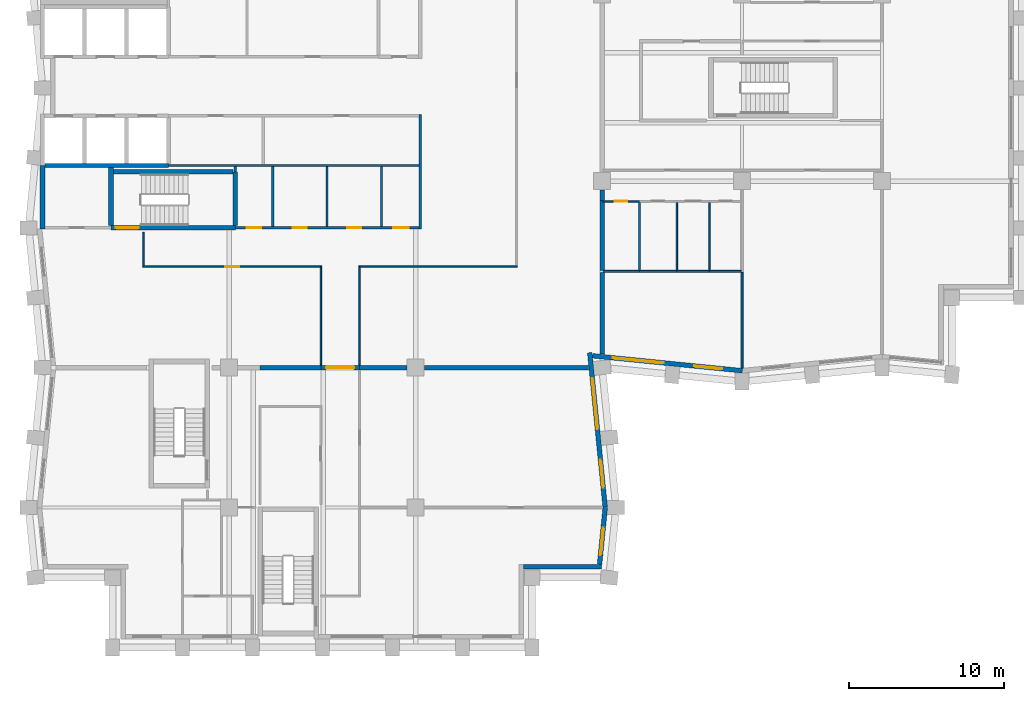
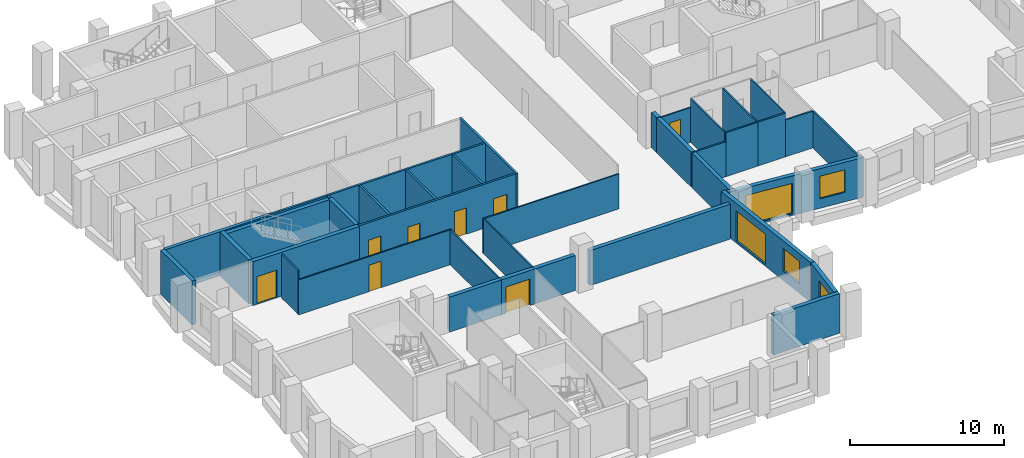
# One storey, part 4 of 10: 38 walls, 8 doors, 5 windows, 13 openings.
"""IFC4 building model written with IfcOpenShell, lengths in metres."""

from ifc_helpers import new_model, si_unit, direction, frame, frame_2d, origin, place, context, subcontext, project, spatial, rectangle, extrude, material, layer, layer_set, type_object, element, fill, save


model = new_model("IFC4")

# Units and contexts
model_context = context("Model", 3, precision=1e-05, world=origin(), true_north=direction((0.0, 1.0)))
body_context = subcontext(model_context, "Body", "Model", "MODEL_VIEW")
ifc_project = project(units=[si_unit("LENGTHUNIT", "METRE"), si_unit("AREAUNIT", "SQUARE_METRE"), si_unit("VOLUMEUNIT", "CUBIC_METRE"), si_unit("PLANEANGLEUNIT", "RADIAN"), si_unit("MASSUNIT", "GRAM", prefix="KILO")], contexts=[model_context])

# Site, building, storey
site_placement = place(None, origin())
site = spatial("IfcSite", under=ifc_project, at=site_placement, CompositionType="ELEMENT")
building_placement = place(site_placement, origin())
building = spatial("IfcBuilding", under=site, at=building_placement, Name="Brondeck Convention Tower", CompositionType="ELEMENT")
storey_placement = place(building_placement, frame((0.0, 0.0, 151.0)))
storey = spatial("IfcBuildingStorey", under=building, at=storey_placement, Name="L36", CompositionType="ELEMENT", Elevation=151.0)

# Wall
ifc_material_1 = material(Name="Concrete compartment wall C30/37", Category="concrete")
ifc_layer_1 = layer(ifc_material_1, 0.300048828125)
ifc_layer_set_1 = layer_set([ifc_layer_1], Name="Compartment wall 300")
wall_type_1 = type_object("IfcWallType", Name="Compartment wall 300", PredefinedType="PARTITIONING", material=ifc_layer_set_1)
wall_1_placement = place(storey_placement, frame((14.0, 27.0, 0.0), z_axis=(0.0, 0.0, 1.0), x_axis=(1.0, 0.0, 0.0)))
element("IfcWall", 1, at=wall_1_placement, inside=storey, type_object=wall_type_1, Name="FLR-L36-W023", PredefinedType="PARTITIONING", context=body_context, shape_type="SweptSolid", body=[
    extrude(rectangle(XDim=3.89990234375, YDim=0.300048828125, at=frame_2d((1.949951171875, 0.0))), origin(), (0.0, 0.0, 1.0), 2.780029296875),
])

# Wall, opening, door
wall_2_placement = place(storey_placement, frame((20.39990234375, 27.0, 0.0), z_axis=(0.0, 0.0, 1.0), x_axis=(-1.0, 0.0, 0.0)))
wall_2 = element("IfcWall", 2, at=wall_2_placement, inside=storey, type_object=wall_type_1, Name="FLR-L36-W024", PredefinedType="PARTITIONING", context=body_context, shape_type="SweptSolid", body=[
    extrude(rectangle(XDim=2.5, YDim=0.300048828125, at=frame_2d((1.25, 0.0))), origin(), (0.0, 0.0, 1.0), 2.780029296875),
])
opening_1_placement = place(wall_2_placement, frame((0.35009765625, 0.0, 0.0)))
opening_1 = element("IfcOpeningElement", 3, at=opening_1_placement, cuts=wall_2, Name="Opening OF-F2-018", PredefinedType="OPENING", context=body_context, shape_type="SweptSolid", body=[
    extrude(rectangle(XDim=1.800048828125, YDim=2.10009765625, at=frame_2d((0.89990234375, 1.050048828125))), frame((0.0, 0.159912109375, 0.0), z_axis=(0.0, -1.0, 0.0), x_axis=(1.0, 0.0, 0.0)), (0.0, 0.0, 1.0), 0.320068359375),
])
ifc_material_2 = material(Name="Steel fire door pair", Category="steel")
door_type_1 = type_object("IfcDoorType", Name="Fire door pair 1800", OperationType="DOUBLE_DOOR_SINGLE_SWING", PredefinedType="DOOR", material=ifc_material_2)
door_1_placement = place(opening_1_placement, origin())
door_1 = element("IfcDoor", 4, at=door_1_placement, inside=storey, type_object=door_type_1, Name="Door OF-F2-018", OperationType="DOUBLE_DOOR_SINGLE_SWING", OverallHeight=2.10009765625, OverallWidth=1.800048828125, PredefinedType="DOOR", context=body_context, shape_type="SweptSolid", body=[
    extrude(rectangle(XDim=1.800048828125, YDim=2.10009765625, at=frame_2d((0.89990234375, 1.050048828125))), frame((0.0, 0.02490234375, 0.0), z_axis=(0.0, -1.0, 0.0), x_axis=(1.0, 0.0, 0.0)), (0.0, 0.0, 1.0), 0.050048828125),
])
fill(opening_1, door_1)

# Walls
wall_3_placement = place(storey_placement, frame((20.39990234375, 27.0, 0.0), z_axis=(0.0, 0.0, 1.0), x_axis=(1.0, 0.0, 0.0)))
element("IfcWall", 5, at=wall_3_placement, inside=storey, type_object=wall_type_1, Name="FLR-L36-W025", PredefinedType="PARTITIONING", context=body_context, shape_type="SweptSolid", body=[
    extrude(rectangle(XDim=3.045166015625, YDim=0.300048828125, at=frame_2d((1.5224609375, 0.0))), origin(), (0.0, 0.0, 1.0), 2.780029296875),
])
wall_4_placement = place(storey_placement, frame((24.554931640625, 27.0, 0.0), z_axis=(0.0, 0.0, 1.0), x_axis=(1.0, 0.0, 0.0)))
element("IfcWall", 6, at=wall_4_placement, inside=storey, type_object=wall_type_1, Name="FLR-L36-W026", PredefinedType="PARTITIONING", context=body_context, shape_type="SweptSolid", body=[
    extrude(rectangle(XDim=10.57080078125, YDim=0.300048828125, at=frame_2d((5.285400390625, 0.0))), origin(), (0.0, 0.0, 1.0), 2.780029296875),
])
wall_5_placement = place(storey_placement, frame((36.0, 27.874267578125, 0.0), z_axis=(0.0, 0.0, 1.0), x_axis=(0.0, 1.0, 0.0)))
element("IfcWall", 7, at=wall_5_placement, inside=storey, type_object=wall_type_1, Name="FLR-L36-W029", PredefinedType="PARTITIONING", context=body_context, shape_type="SweptSolid", body=[
    extrude(rectangle(XDim=5.26318359375, YDim=0.300048828125, at=frame_2d((2.631591796875, 0.0))), origin(), (0.0, 0.0, 1.0), 2.780029296875),
])
wall_6_placement = place(storey_placement, frame((36.0, 33.262451171875, 0.0), z_axis=(0.0, 0.0, 1.0), x_axis=(0.0, 1.0, 0.0)))
element("IfcWall", 8, at=wall_6_placement, inside=storey, type_object=wall_type_1, Name="FLR-L36-W035", PredefinedType="PARTITIONING", context=body_context, shape_type="SweptSolid", body=[
    extrude(rectangle(XDim=4.482666015625, YDim=0.300048828125, at=frame_2d((2.2412109375, 0.0))), origin(), (0.0, 0.0, 1.0), 2.780029296875),
])
wall_7_placement = place(storey_placement, frame((36.0, 37.75, 0.0), z_axis=(0.0, 0.0, 1.0), x_axis=(0.0, 1.0, 0.0)))
element("IfcWall", 9, at=wall_7_placement, inside=storey, type_object=wall_type_1, Name="FLR-L36-W048", PredefinedType="PARTITIONING", context=body_context, shape_type="SweptSolid", body=[
    extrude(rectangle(XDim=0.695068359375, YDim=0.300048828125, at=frame_2d((0.34765625, 0.0))), origin(), (0.0, 0.0, 1.0), 2.780029296875),
])

# Wall, openings, doors
ifc_material_3 = material(Name="Concrete C70/85", Category="concrete")
ifc_layer_2 = layer(ifc_material_3, 0.14990234375)
ifc_layer_set_2 = layer_set([ifc_layer_2], Name="Core beam-seat wall 150 Concrete C70/85")
wall_type_2 = type_object("IfcWallType", Name="Core beam-seat wall 150 Concrete C70/85", PredefinedType="SHEAR", material=ifc_layer_set_2)
wall_8_placement = place(storey_placement, frame((12.39990234375, 36.0, 0.0), z_axis=(0.0, 0.0, 1.0), x_axis=(1.0, 0.0, 0.0)))
wall_8 = element("IfcWall", 10, at=wall_8_placement, inside=storey, type_object=wall_type_2, Name="L36 core wall", PredefinedType="SHEAR", context=body_context, shape_type="SweptSolid", body=[
    extrude(rectangle(XDim=11.8251953125, YDim=0.14990234375, at=frame_2d((5.91259765625, 0.0))), origin(), (0.0, 0.0, 1.0), 3.5),
])
opening_2_placement = place(wall_8_placement, frame((0.72509765625, 0.0, 0.0)))
opening_2 = element("IfcOpeningElement", 11, at=opening_2_placement, cuts=wall_8, Name="Opening C21-03", PredefinedType="OPENING", context=body_context, shape_type="SweptSolid", body=[
    extrude(rectangle(XDim=0.949951171875, YDim=2.10009765625, at=frame_2d((0.47509765625, 1.050048828125))), frame((0.0, 0.0849609375, 0.0), z_axis=(0.0, -1.0, 0.0), x_axis=(1.0, 0.0, 0.0)), (0.0, 0.0, 1.0), 0.169921875),
])
opening_3_placement = place(wall_8_placement, frame((3.699951171875, 0.0, 0.0)))
opening_3 = element("IfcOpeningElement", 12, at=opening_3_placement, cuts=wall_8, Name="Opening C21-04", PredefinedType="OPENING", context=body_context, shape_type="SweptSolid", body=[
    extrude(rectangle(XDim=0.89990234375, YDim=2.10009765625, at=frame_2d((0.449951171875, 1.050048828125))), frame((0.0, 0.0849609375, 0.0), z_axis=(0.0, -1.0, 0.0), x_axis=(1.0, 0.0, 0.0)), (0.0, 0.0, 1.0), 0.169921875),
])
opening_4_placement = place(wall_8_placement, frame((7.199951171875, 0.0, 0.0)))
opening_4 = element("IfcOpeningElement", 13, at=opening_4_placement, cuts=wall_8, Name="Opening C21-05", PredefinedType="OPENING", context=body_context, shape_type="SweptSolid", body=[
    extrude(rectangle(XDim=0.89990234375, YDim=2.10009765625, at=frame_2d((0.449951171875, 1.050048828125))), frame((0.0, 0.0849609375, 0.0), z_axis=(0.0, -1.0, 0.0), x_axis=(1.0, 0.0, 0.0)), (0.0, 0.0, 1.0), 0.169921875),
])
opening_5_placement = place(wall_8_placement, frame((10.14990234375, 0.0, 0.0)))
opening_5 = element("IfcOpeningElement", 14, at=opening_5_placement, cuts=wall_8, Name="Opening C21-06", PredefinedType="OPENING", context=body_context, shape_type="SweptSolid", body=[
    extrude(rectangle(XDim=1.0, YDim=2.10009765625, at=frame_2d((0.5, 1.050048828125))), frame((0.0, 0.0849609375, 0.0), z_axis=(0.0, -1.0, 0.0), x_axis=(1.0, 0.0, 0.0)), (0.0, 0.0, 1.0), 0.169921875),
])
ifc_material_4 = material(Name="Steel fire door", Category="steel")
door_type_2 = type_object("IfcDoorType", Name="Room door 1000x2100 EI 60", OperationType="NOTDEFINED", PredefinedType="DOOR", material=ifc_material_4)
door_2_placement = place(opening_5_placement, origin())
door_2 = element("IfcDoor", 15, at=door_2_placement, inside=storey, type_object=door_type_2, Name="L36 Room door FR-4", OperationType="SINGLE_SWING_LEFT", OverallHeight=2.10009765625, OverallWidth=1.0, PredefinedType="DOOR", context=body_context, shape_type="SweptSolid", body=[
    extrude(rectangle(XDim=1.0, YDim=2.10009765625, at=frame_2d((0.5, 1.050048828125))), frame((0.0, 0.02490234375, 0.0), z_axis=(0.0, -1.0, 0.0), x_axis=(1.0, 0.0, 0.0)), (0.0, 0.0, 1.0), 0.050048828125),
])
fill(opening_5, door_2)
door_type_3 = type_object("IfcDoorType", Name="Room door 900x2100 EI 60", OperationType="NOTDEFINED", PredefinedType="DOOR", material=ifc_material_4)
door_3_placement = place(opening_3_placement, origin())
door_3 = element("IfcDoor", 16, at=door_3_placement, inside=storey, type_object=door_type_3, Name="L36 Room door FR-2", OperationType="SINGLE_SWING_LEFT", OverallHeight=2.10009765625, OverallWidth=0.89990234375, PredefinedType="DOOR", context=body_context, shape_type="SweptSolid", body=[
    extrude(rectangle(XDim=0.89990234375, YDim=2.10009765625, at=frame_2d((0.449951171875, 1.050048828125))), frame((0.0, 0.02490234375, 0.0), z_axis=(0.0, -1.0, 0.0), x_axis=(1.0, 0.0, 0.0)), (0.0, 0.0, 1.0), 0.050048828125),
])
fill(opening_3, door_3)
door_4_placement = place(opening_4_placement, origin())
door_4 = element("IfcDoor", 17, at=door_4_placement, inside=storey, type_object=door_type_3, Name="L36 Room door FR-3", OperationType="SINGLE_SWING_RIGHT", OverallHeight=2.10009765625, OverallWidth=0.89990234375, PredefinedType="DOOR", context=body_context, shape_type="SweptSolid", body=[
    extrude(rectangle(XDim=0.89990234375, YDim=2.10009765625, at=frame_2d((0.449951171875, 1.050048828125))), frame((0.0, 0.02490234375, 0.0), z_axis=(0.0, -1.0, 0.0), x_axis=(1.0, 0.0, 0.0)), (0.0, 0.0, 1.0), 0.050048828125),
])
fill(opening_4, door_4)
door_type_4 = type_object("IfcDoorType", Name="Room door 950x2100 EI 60", OperationType="NOTDEFINED", PredefinedType="DOOR", material=ifc_material_4)
door_5_placement = place(opening_2_placement, origin())
door_5 = element("IfcDoor", 18, at=door_5_placement, inside=storey, type_object=door_type_4, Name="L36 Room door FR-1", OperationType="SINGLE_SWING_RIGHT", OverallHeight=2.10009765625, OverallWidth=0.949951171875, PredefinedType="DOOR", context=body_context, shape_type="SweptSolid", body=[
    extrude(rectangle(XDim=0.949951171875, YDim=2.10009765625, at=frame_2d((0.47509765625, 1.050048828125))), frame((0.0, 0.02490234375, 0.0), z_axis=(0.0, -1.0, 0.0), x_axis=(1.0, 0.0, 0.0)), (0.0, 0.0, 1.0), 0.050048828125),
])
fill(opening_2, door_5)

# Walls
ifc_layer_3 = layer(ifc_material_3, 0.300048828125)
ifc_layer_set_3 = layer_set([ifc_layer_3], Name="Core outer wall 300 Concrete C70/85")
wall_type_3 = type_object("IfcWallType", Name="Core outer wall 300 Concrete C70/85", PredefinedType="SHEAR", material=ifc_layer_set_3)
wall_9_placement = place(storey_placement, frame((0.0, 35.925048828125, 0.0), z_axis=(0.0, 0.0, 1.0), x_axis=(0.0, 1.0, 0.0)))
element("IfcWall", 19, at=wall_9_placement, inside=storey, type_object=wall_type_3, Name="L36 core wall", PredefinedType="SHEAR", context=body_context, shape_type="SweptSolid", body=[
    extrude(rectangle(XDim=4.074951171875, YDim=0.300048828125, at=frame_2d((2.03759765625, 0.0))), origin(), (0.0, 0.0, 1.0), 3.5),
])
ifc_material_5 = material(Name="Fire-rated gypsum board partition")
ifc_layer_4 = layer(ifc_material_5, 0.14990234375)
ifc_layer_set_4 = layer_set([ifc_layer_4], Name="Core partition 150 EI 60")
wall_type_4 = type_object("IfcWallType", Name="Core partition 150 EI 60", PredefinedType="PARTITIONING", material=ifc_layer_set_4)
wall_10_placement = place(storey_placement, frame((8.10009765625, 40.0, 0.0), z_axis=(0.0, 0.0, 1.0), x_axis=(1.0, 0.0, 0.0)))
element("IfcWall", 20, at=wall_10_placement, inside=storey, type_object=wall_type_4, Name="L36 core wall", PredefinedType="PARTITIONING", context=body_context, shape_type="SweptSolid", body=[
    extrude(rectangle(XDim=16.125, YDim=0.14990234375, at=frame_2d((8.0625, 0.0))), origin(), (0.0, 0.0, 1.0), 3.5),
])
wall_11_placement = place(storey_placement, frame((12.39990234375, 39.60009765625, 0.0), z_axis=(0.0, 0.0, 1.0), x_axis=(0.0, 1.0, 0.0)))
element("IfcWall", 21, at=wall_11_placement, inside=storey, type_object=wall_type_4, Name="L36 core wall", PredefinedType="PARTITIONING", context=body_context, shape_type="SweptSolid", body=[
    extrude(rectangle(XDim=0.324951171875, YDim=0.14990234375, at=frame_2d((0.16259765625, 0.0))), origin(), (0.0, 0.0, 1.0), 3.5),
])
for number, where, z_axis, x_axis, name in (
    (22, (14.800048828125, 36.074951171875, 0.0), (0.0, 0.0, 1.0), (0.0, 1.0, 0.0), "L36 core wall"),
    (23, (18.300048828125, 36.074951171875, 0.0), (0.0, 0.0, 1.0), (0.0, 1.0, 0.0), "L36 core wall"),
    (24, (21.800048828125, 36.074951171875, 0.0), (0.0, 0.0, 1.0), (0.0, 1.0, 0.0), "L36 core wall"),
):
    element("IfcWall", number, at=place(storey_placement, frame(where, z_axis=z_axis, x_axis=x_axis)), inside=storey, type_object=wall_type_4, Name=name, PredefinedType="PARTITIONING", context=body_context, shape_type="SweptSolid", body=[
        extrude(rectangle(XDim=3.85009765625, YDim=0.14990234375, at=frame_2d((1.925048828125, 0.0))), origin(), (0.0, 0.0, 1.0), 3.5),
    ])
wall_12_placement = place(storey_placement, frame((24.300048828125, 35.925048828125, 0.0), z_axis=(0.0, 0.0, 1.0), x_axis=(0.0, 1.0, 0.0)))
element("IfcWall", 25, at=wall_12_placement, inside=storey, type_object=wall_type_4, Name="L36 core wall", PredefinedType="PARTITIONING", context=body_context, shape_type="SweptSolid", body=[
    extrude(rectangle(XDim=7.349853515625, YDim=0.14990234375, at=frame_2d((3.6748046875, 0.0))), origin(), (0.0, 0.0, 1.0), 3.5),
])
ifc_material_6 = material(Name="Precast concrete C50/60 bronze finish", Category="concrete")
ifc_layer_5 = layer(ifc_material_6, 0.070068359375, Name="Bronze precast facing")
ifc_material_7 = material(Name="Mineral wool")
ifc_layer_6 = layer(ifc_material_7, 0.159912109375, Name="Insulation")
ifc_material_8 = material(Name="Concrete C35/45", Category="concrete")
ifc_layer_7 = layer(ifc_material_8, 0.070068359375, Name="Backing")
ifc_layer_set_5 = layer_set([ifc_layer_5, ifc_layer_6, ifc_layer_7], Name="External infill wall, precast concrete C50/60 bronze facing")
wall_type_5 = type_object("IfcWallType", Name="External infill wall, precast concrete C50/60 bronze facing", PredefinedType="SOLIDWALL", material=ifc_layer_set_5)
wall_13_placement = place(storey_placement, frame((35.952392578125, 14.199951171875, 0.0), z_axis=(0.0, 0.0, 1.0), x_axis=(-1.0, 0.0, 0.0)))
element("IfcWall", 26, at=wall_13_placement, inside=storey, type_object=wall_type_5, Name="ENV-EW-L36-P1-NC-SEB9-02", PredefinedType="SOLIDWALL", context=body_context, shape_type="SweptSolid", body=[
    extrude(rectangle(XDim=5.00244140625, YDim=0.300048828125, at=frame_2d((2.501220703125, 0.0))), origin(), (0.0, 0.0, 1.0), 3.14990234375),
])

# Wall, opening, window
wall_14_placement = place(storey_placement, frame((36.197998046875, 18.014892578125, 0.0), z_axis=(0.0, 0.0, 1.0), x_axis=(-0.099529980022, -0.99503456376, 0.0)))
wall_14 = element("IfcWall", 27, at=wall_14_placement, inside=storey, type_object=wall_type_5, Name="ENV-EW-L36-P1-B-E-02", PredefinedType="SOLIDWALL", context=body_context, shape_type="SweptSolid", body=[
    extrude(rectangle(XDim=3.681884765625, YDim=0.300048828125, at=frame_2d((1.8408203125, 0.0))), origin(), (0.0, 0.0, 1.0), 3.14990234375),
])
opening_6_placement = place(wall_14_placement, frame((1.30615234375, 0.0, 0.75)))
opening_6 = element("IfcOpeningElement", 28, at=opening_6_placement, cuts=wall_14, Name="Opening W10", PredefinedType="OPENING", context=body_context, shape_type="SweptSolid", body=[
    extrude(rectangle(XDim=1.800048828125, YDim=1.800048828125, at=frame_2d((0.89990234375, 0.89990234375))), frame((0.0, 0.159912109375, 0.0), z_axis=(0.0, -1.0, 0.0), x_axis=(1.0, 0.0, 0.0)), (0.0, 0.0, 1.0), 0.320068359375),
])
ifc_material_9 = material(Name="Bronze tinted double glazing", Category="glass")
window_type_1 = type_object("IfcWindowType", Name="Punched window, bronze tinted", PartitioningType="SINGLE_PANEL", PredefinedType="WINDOW", material=ifc_material_9)
window_1_placement = place(opening_6_placement, origin())
window_1 = element("IfcWindow", 29, at=window_1_placement, inside=storey, type_object=window_type_1, Name="ENV-WN-L36-P1-B-E-02", OverallHeight=1.800048828125, OverallWidth=1.800048828125, PartitioningType="SINGLE_PANEL", PredefinedType="WINDOW", context=body_context, shape_type="SweptSolid", body=[
    extrude(rectangle(XDim=1.800048828125, YDim=1.800048828125, at=frame_2d((0.89990234375, 0.89990234375))), frame((0.0, 0.030029296875, 0.0), z_axis=(0.0, -1.0, 0.0), x_axis=(1.0, 0.0, 0.0)), (0.0, 0.0, 1.0), 0.06005859375),
])
fill(opening_6, window_1)

# Wall, openings, windows
wall_15_placement = place(storey_placement, frame((35.2001953125, 27.964111328125, 0.0), z_axis=(0.0, 0.0, 1.0), x_axis=(0.099501297882, -0.995037432321, 0.0)))
wall_15 = element("IfcWall", 30, at=wall_15_placement, inside=storey, type_object=wall_type_5, Name="ENV-EW-L36-P1-B-E-01", PredefinedType="SOLIDWALL", context=body_context, shape_type="SweptSolid", body=[
    extrude(rectangle(XDim=9.98388671875, YDim=0.300048828125, at=frame_2d((4.991943359375, 0.0))), origin(), (0.0, 0.0, 1.0), 3.14990234375),
])
opening_7_placement = place(wall_15_placement, frame((1.650146484375, 0.0, 0.14990234375)))
opening_7 = element("IfcOpeningElement", 31, at=opening_7_placement, cuts=wall_15, Name="Opening W9", PredefinedType="OPENING", context=body_context, shape_type="SweptSolid", body=[
    extrude(rectangle(XDim=3.300048828125, YDim=2.39990234375, at=frame_2d((1.64990234375, 1.199951171875))), frame((0.0, 0.159912109375, 0.0), z_axis=(0.0, -1.0, 0.0), x_axis=(1.0, 0.0, 0.0)), (0.0, 0.0, 1.0), 0.320068359375),
])
opening_8_placement = place(wall_15_placement, frame((6.922607421875, 0.0, 0.75)))
opening_8 = element("IfcOpeningElement", 32, at=opening_8_placement, cuts=wall_15, Name="Opening W10", PredefinedType="OPENING", context=body_context, shape_type="SweptSolid", body=[
    extrude(rectangle(XDim=1.800048828125, YDim=1.800048828125, at=frame_2d((0.89990234375, 0.89990234375))), frame((0.0, 0.159912109375, 0.0), z_axis=(0.0, -1.0, 0.0), x_axis=(1.0, 0.0, 0.0)), (0.0, 0.0, 1.0), 0.320068359375),
])
window_type_2 = type_object("IfcWindowType", Name="Glazed flute window, bronze tinted", PartitioningType="SINGLE_PANEL", PredefinedType="WINDOW", material=ifc_material_9)
window_2_placement = place(opening_7_placement, origin())
window_2 = element("IfcWindow", 33, at=window_2_placement, inside=storey, type_object=window_type_2, Name="ENV-WN-L36-P1-B-E-00", OverallHeight=2.39990234375, OverallWidth=3.300048828125, PartitioningType="SINGLE_PANEL", PredefinedType="WINDOW", context=body_context, shape_type="SweptSolid", body=[
    extrude(rectangle(XDim=3.300048828125, YDim=2.39990234375, at=frame_2d((1.64990234375, 1.199951171875))), frame((0.0, 0.030029296875, 0.0), z_axis=(0.0, -1.0, 0.0), x_axis=(1.0, 0.0, 0.0)), (0.0, 0.0, 1.0), 0.06005859375),
])
fill(opening_7, window_2)
window_3_placement = place(opening_8_placement, origin())
window_3 = element("IfcWindow", 34, at=window_3_placement, inside=storey, type_object=window_type_1, Name="ENV-WN-L36-P1-B-E-01", OverallHeight=1.800048828125, OverallWidth=1.800048828125, PartitioningType="SINGLE_PANEL", PredefinedType="WINDOW", context=body_context, shape_type="SweptSolid", body=[
    extrude(rectangle(XDim=1.800048828125, YDim=1.800048828125, at=frame_2d((0.89990234375, 0.89990234375))), frame((0.0, 0.030029296875, 0.0), z_axis=(0.0, -1.0, 0.0), x_axis=(1.0, 0.0, 0.0)), (0.0, 0.0, 1.0), 0.06005859375),
])
fill(opening_8, window_3)

wall_16_placement = place(storey_placement, frame((45.014892578125, 26.802001953125, 0.0), z_axis=(0.0, 0.0, 1.0), x_axis=(-0.995037689759, 0.099498723402, 0.0)))
wall_16 = element("IfcWall", 35, at=wall_16_placement, inside=storey, type_object=wall_type_5, Name="ENV-EW-L36-P1-A-S-00", PredefinedType="SOLIDWALL", context=body_context, shape_type="SweptSolid", body=[
    extrude(rectangle(XDim=9.677490234375, YDim=0.300048828125, at=frame_2d((4.8388671875, 0.0))), origin(), (0.0, 0.0, 1.0), 3.14990234375),
])
opening_9_placement = place(wall_16_placement, frame((1.30615234375, 0.0, 0.75)))
opening_9 = element("IfcOpeningElement", 36, at=opening_9_placement, cuts=wall_16, Name="Opening W10", PredefinedType="OPENING", context=body_context, shape_type="SweptSolid", body=[
    extrude(rectangle(XDim=1.800048828125, YDim=1.800048828125, at=frame_2d((0.89990234375, 0.89990234375))), frame((0.0, 0.159912109375, 0.0), z_axis=(0.0, -1.0, 0.0), x_axis=(1.0, 0.0, 0.0)), (0.0, 0.0, 1.0), 0.320068359375),
])
opening_10_placement = place(wall_16_placement, frame((5.07861328125, 0.0, 0.14990234375)))
opening_10 = element("IfcOpeningElement", 37, at=opening_10_placement, cuts=wall_16, Name="Opening W9", PredefinedType="OPENING", context=body_context, shape_type="SweptSolid", body=[
    extrude(rectangle(XDim=3.300048828125, YDim=2.39990234375, at=frame_2d((1.64990234375, 1.199951171875))), frame((0.0, 0.159912109375, 0.0), z_axis=(0.0, -1.0, 0.0), x_axis=(1.0, 0.0, 0.0)), (0.0, 0.0, 1.0), 0.320068359375),
])
window_4_placement = place(opening_10_placement, origin())
window_4 = element("IfcWindow", 38, at=window_4_placement, inside=storey, type_object=window_type_2, Name="ENV-WN-L36-P1-A-S-00", OverallHeight=2.39990234375, OverallWidth=3.300048828125, PartitioningType="SINGLE_PANEL", PredefinedType="WINDOW", context=body_context, shape_type="SweptSolid", body=[
    extrude(rectangle(XDim=3.300048828125, YDim=2.39990234375, at=frame_2d((1.64990234375, 1.199951171875))), frame((0.0, 0.030029296875, 0.0), z_axis=(0.0, -1.0, 0.0), x_axis=(1.0, 0.0, 0.0)), (0.0, 0.0, 1.0), 0.06005859375),
])
fill(opening_10, window_4)
window_5_placement = place(opening_9_placement, origin())
window_5 = element("IfcWindow", 39, at=window_5_placement, inside=storey, type_object=window_type_1, Name="ENV-WN-L36-P1-A-S-01", OverallHeight=1.800048828125, OverallWidth=1.800048828125, PartitioningType="SINGLE_PANEL", PredefinedType="WINDOW", context=body_context, shape_type="SweptSolid", body=[
    extrude(rectangle(XDim=1.800048828125, YDim=1.800048828125, at=frame_2d((0.89990234375, 0.89990234375))), frame((0.0, 0.030029296875, 0.0), z_axis=(0.0, -1.0, 0.0), x_axis=(1.0, 0.0, 0.0)), (0.0, 0.0, 1.0), 0.06005859375),
])
fill(opening_9, window_5)

# Walls
ifc_layer_8 = layer(ifc_material_3, 0.25)
ifc_layer_set_6 = layer_set([ifc_layer_8], Name="Lift shaft wall 250 Concrete C70/85")
wall_type_6 = type_object("IfcWallType", Name="Lift shaft wall 250 Concrete C70/85", PredefinedType="SHEAR", material=ifc_layer_set_6)
wall_17_placement = place(storey_placement, frame((0.14990234375, 40.0, 0.0), z_axis=(0.0, 0.0, 1.0), x_axis=(1.0, 0.0, 0.0)))
element("IfcWall", 40, at=wall_17_placement, inside=storey, type_object=wall_type_6, Name="L36 core wall", PredefinedType="SHEAR", context=body_context, shape_type="SweptSolid", body=[
    extrude(rectangle(XDim=7.9501953125, YDim=0.25, at=frame_2d((3.97509765625, 0.0))), origin(), (0.0, 0.0, 1.0), 3.5),
])
ifc_material_10 = material(Name="Gypsum board shaft wall on steel studs", Category="steel")
ifc_layer_9 = layer(ifc_material_10, 0.125)
ifc_layer_set_7 = layer_set([ifc_layer_9], Name="Riser wall 125")
wall_type_7 = type_object("IfcWallType", Name="Riser wall 125", PredefinedType="PARTITIONING", material=ifc_layer_set_7)
wall_18_placement = place(storey_placement, frame((45.0, 33.137451171875, 0.0), z_axis=(0.0, 0.0, 1.0), x_axis=(0.0, -1.0, 0.0)))
element("IfcWall", 41, at=wall_18_placement, inside=storey, type_object=wall_type_7, Name="FLR-L36-W030", PredefinedType="PARTITIONING", context=body_context, shape_type="SweptSolid", body=[
    extrude(rectangle(XDim=6.163330078125, YDim=0.125, at=frame_2d((3.08154296875, 0.0))), origin(), (0.0, 0.0, 1.0), 2.929931640625),
])
wall_19_placement = place(storey_placement, frame((38.39990234375, 33.199951171875, 0.0), z_axis=(0.0, 0.0, 1.0), x_axis=(-1.0, 0.0, 0.0)))
element("IfcWall", 42, at=wall_19_placement, inside=storey, type_object=wall_type_7, Name="FLR-L36-W031", PredefinedType="PARTITIONING", context=body_context, shape_type="SweptSolid", body=[
    extrude(rectangle(XDim=2.33740234375, YDim=0.125, at=frame_2d((1.168701171875, 0.0))), origin(), (0.0, 0.0, 1.0), 2.780029296875),
])
wall_20_placement = place(storey_placement, frame((40.800048828125, 33.199951171875, 0.0), z_axis=(0.0, 0.0, 1.0), x_axis=(-1.0, 0.0, 0.0)))
element("IfcWall", 43, at=wall_20_placement, inside=storey, type_object=wall_type_7, Name="FLR-L36-W032", PredefinedType="PARTITIONING", context=body_context, shape_type="SweptSolid", body=[
    extrude(rectangle(XDim=2.400146484375, YDim=0.125, at=frame_2d((1.2001953125, 0.0))), origin(), (0.0, 0.0, 1.0), 3.47998046875),
])
wall_21_placement = place(storey_placement, frame((42.89990234375, 33.199951171875, 0.0), z_axis=(0.0, 0.0, 1.0), x_axis=(-1.0, 0.0, 0.0)))
element("IfcWall", 44, at=wall_21_placement, inside=storey, type_object=wall_type_7, Name="FLR-L36-W033", PredefinedType="PARTITIONING", context=body_context, shape_type="SweptSolid", body=[
    extrude(rectangle(XDim=2.099853515625, YDim=0.125, at=frame_2d((1.0498046875, 0.0))), origin(), (0.0, 0.0, 1.0), 3.47998046875),
])
wall_22_placement = place(storey_placement, frame((44.9375, 33.199951171875, 0.0), z_axis=(0.0, 0.0, 1.0), x_axis=(-1.0, 0.0, 0.0)))
element("IfcWall", 45, at=wall_22_placement, inside=storey, type_object=wall_type_7, Name="FLR-L36-W034", PredefinedType="PARTITIONING", context=body_context, shape_type="SweptSolid", body=[
    extrude(rectangle(XDim=2.03759765625, YDim=0.125, at=frame_2d((1.018798828125, 0.0))), origin(), (0.0, 0.0, 1.0), 2.929931640625),
])
ifc_material_11 = material(Name="Gypsum board partition on steel studs", Category="steel")
ifc_layer_10 = layer(ifc_material_11, 0.10009765625)
ifc_layer_set_8 = layer_set([ifc_layer_10], Name="Room partition 100")
wall_type_8 = type_object("IfcWallType", Name="Room partition 100", PredefinedType="PARTITIONING", material=ifc_layer_set_8)
for number, where, z_axis, x_axis, name in (
    (46, (17.89990234375, 27.169921875, 0.0), (0.0, 0.0, 1.0), (0.0, 1.0, 0.0), "FLR-L36-W027"),
    (47, (20.39990234375, 33.449951171875, 0.0), (0.0, 0.0, 1.0), (0.0, -1.0, 0.0), "FLR-L36-W036"),
):
    element("IfcWall", number, at=place(storey_placement, frame(where, z_axis=z_axis, x_axis=x_axis)), inside=storey, type_object=wall_type_8, Name=name, PredefinedType="PARTITIONING", context=body_context, shape_type="SweptSolid", body=[
        extrude(rectangle(XDim=6.280029296875, YDim=0.10009765625, at=frame_2d((3.14013671875, 0.0))), origin(), (0.0, 0.0, 1.0), 2.780029296875),
    ])

# Wall, opening, door
wall_23_placement = place(storey_placement, frame((17.949951171875, 33.5, 0.0), z_axis=(0.0, 0.0, 1.0), x_axis=(-1.0, 0.0, 0.0)))
wall_23 = element("IfcWall", 48, at=wall_23_placement, inside=storey, type_object=wall_type_8, Name="FLR-L36-W037", PredefinedType="PARTITIONING", context=body_context, shape_type="SweptSolid", body=[
    extrude(rectangle(XDim=11.5, YDim=0.10009765625, at=frame_2d((5.75, 0.0))), origin(), (0.0, 0.0, 1.0), 2.780029296875),
])
opening_11_placement = place(wall_23_placement, frame((5.300048828125, 0.0, 0.0)))
opening_11 = element("IfcOpeningElement", 49, at=opening_11_placement, cuts=wall_23, Name="Opening OF-F2-016", PredefinedType="OPENING", context=body_context, shape_type="SweptSolid", body=[
    extrude(rectangle(XDim=0.89990234375, YDim=2.10009765625, at=frame_2d((0.449951171875, 1.050048828125))), frame((0.0, 0.06005859375, 0.0), z_axis=(0.0, -1.0, 0.0), x_axis=(1.0, 0.0, 0.0)), (0.0, 0.0, 1.0), 0.1201171875),
])
ifc_material_12 = material(Name="Solid timber door leaf", Category="wood")
door_type_5 = type_object("IfcDoorType", Name="Single door 900", OperationType="NOTDEFINED", PredefinedType="DOOR", material=ifc_material_12)
door_6_placement = place(opening_11_placement, origin())
door_6 = element("IfcDoor", 50, at=door_6_placement, inside=storey, type_object=door_type_5, Name="Door OF-F2-016", OperationType="SINGLE_SWING_LEFT", OverallHeight=2.10009765625, OverallWidth=0.89990234375, PredefinedType="DOOR", context=body_context, shape_type="SweptSolid", body=[
    extrude(rectangle(XDim=0.89990234375, YDim=2.10009765625, at=frame_2d((0.449951171875, 1.050048828125))), frame((0.0, 0.02490234375, 0.0), z_axis=(0.0, -1.0, 0.0), x_axis=(1.0, 0.0, 0.0)), (0.0, 0.0, 1.0), 0.050048828125),
])
fill(opening_11, door_6)

# Walls
wall_24_placement = place(storey_placement, frame((30.550048828125, 33.5, 0.0), z_axis=(0.0, 0.0, 1.0), x_axis=(-1.0, 0.0, 0.0)))
element("IfcWall", 51, at=wall_24_placement, inside=storey, type_object=wall_type_8, Name="FLR-L36-W038", PredefinedType="PARTITIONING", context=body_context, shape_type="SweptSolid", body=[
    extrude(rectangle(XDim=10.199951171875, YDim=0.10009765625, at=frame_2d((5.10009765625, 0.0))), origin(), (0.0, 0.0, 1.0), 2.780029296875),
])
wall_25_placement = place(storey_placement, frame((6.5, 33.550048828125, 0.0), z_axis=(0.0, 0.0, 1.0), x_axis=(0.0, 1.0, 0.0)))
element("IfcWall", 52, at=wall_25_placement, inside=storey, type_object=wall_type_8, Name="FLR-L36-W039", PredefinedType="PARTITIONING", context=body_context, shape_type="SweptSolid", body=[
    extrude(rectangle(XDim=2.14990234375, YDim=0.10009765625, at=frame_2d((1.074951171875, 0.0))), origin(), (0.0, 0.0, 1.0), 3.47998046875),
])
for number, where, z_axis, x_axis, name in (
    (53, (38.39990234375, 37.64990234375, 0.0), (0.0, 0.0, 1.0), (0.0, -1.0, 0.0), "FLR-L36-W040"),
    (54, (40.800048828125, 37.64990234375, 0.0), (0.0, 0.0, 1.0), (0.0, -1.0, 0.0), "FLR-L36-W041"),
    (55, (42.89990234375, 37.64990234375, 0.0), (0.0, 0.0, 1.0), (0.0, -1.0, 0.0), "FLR-L36-W042"),
):
    element("IfcWall", number, at=place(storey_placement, frame(where, z_axis=z_axis, x_axis=x_axis)), inside=storey, type_object=wall_type_8, Name=name, PredefinedType="PARTITIONING", context=body_context, shape_type="SweptSolid", body=[
        extrude(rectangle(XDim=4.387451171875, YDim=0.10009765625, at=frame_2d((2.19384765625, 0.0))), origin(), (0.0, 0.0, 1.0), 3.47998046875),
    ])

# Wall, opening, door
wall_26_placement = place(storey_placement, frame((38.39990234375, 37.699951171875, 0.0), z_axis=(0.0, 0.0, 1.0), x_axis=(-1.0, 0.0, 0.0)))
wall_26 = element("IfcWall", 56, at=wall_26_placement, inside=storey, type_object=wall_type_8, Name="FLR-L36-W044", PredefinedType="PARTITIONING", context=body_context, shape_type="SweptSolid", body=[
    extrude(rectangle(XDim=2.349853515625, YDim=0.10009765625, at=frame_2d((1.1748046875, 0.0))), origin(), (0.0, 0.0, 1.0), 2.780029296875),
])
opening_12_placement = place(wall_26_placement, frame((0.800048828125, 0.0, 0.0)))
opening_12 = element("IfcOpeningElement", 57, at=opening_12_placement, cuts=wall_26, Name="Opening OF-F2-007", PredefinedType="OPENING", context=body_context, shape_type="SweptSolid", body=[
    extrude(rectangle(XDim=0.800048828125, YDim=2.10009765625, at=frame_2d((0.39990234375, 1.050048828125))), frame((0.0, 0.06005859375, 0.0), z_axis=(0.0, -1.0, 0.0), x_axis=(1.0, 0.0, 0.0)), (0.0, 0.0, 1.0), 0.1201171875),
])
door_type_6 = type_object("IfcDoorType", Name="En-suite door 800", OperationType="NOTDEFINED", PredefinedType="DOOR", material=ifc_material_12)
door_7_placement = place(opening_12_placement, origin())
door_7 = element("IfcDoor", 58, at=door_7_placement, inside=storey, type_object=door_type_6, Name="Door OF-F2-007", OperationType="SINGLE_SWING_LEFT", OverallHeight=2.10009765625, OverallWidth=0.800048828125, PredefinedType="DOOR", context=body_context, shape_type="SweptSolid", body=[
    extrude(rectangle(XDim=0.800048828125, YDim=2.10009765625, at=frame_2d((0.39990234375, 1.050048828125))), frame((0.0, 0.02490234375, 0.0), z_axis=(0.0, -1.0, 0.0), x_axis=(1.0, 0.0, 0.0)), (0.0, 0.0, 1.0), 0.050048828125),
])
fill(opening_12, door_7)

ifc_layer_11 = layer(ifc_material_3, 0.300048828125)
ifc_layer_set_9 = layer_set([ifc_layer_11], Name="Stair enclosure wall 300 Concrete C70/85")
wall_type_9 = type_object("IfcWallType", Name="Stair enclosure wall 300 Concrete C70/85", PredefinedType="SHEAR", material=ifc_layer_set_9)
wall_27_placement = place(storey_placement, frame((4.39990234375, 36.0, 0.0), z_axis=(0.0, 0.0, 1.0), x_axis=(1.0, 0.0, 0.0)))
wall_27 = element("IfcWall", 59, at=wall_27_placement, inside=storey, type_object=wall_type_9, Name="L36 core wall", PredefinedType="SHEAR", context=body_context, shape_type="SweptSolid", body=[
    extrude(rectangle(XDim=8.0, YDim=0.300048828125, at=frame_2d((4.0, 0.0))), origin(), (0.0, 0.0, 1.0), 3.5),
])
opening_13_placement = place(wall_27_placement, frame((0.300048828125, 0.0, 0.0)))
opening_13 = element("IfcOpeningElement", 60, at=opening_13_placement, cuts=wall_27, Name="Opening C21-14", PredefinedType="OPENING", context=body_context, shape_type="SweptSolid", body=[
    extrude(rectangle(XDim=1.5, YDim=2.199951171875, at=frame_2d((0.75, 1.10009765625))), frame((0.0, 0.159912109375, 0.0), z_axis=(0.0, -1.0, 0.0), x_axis=(1.0, 0.0, 0.0)), (0.0, 0.0, 1.0), 0.320068359375),
])
door_type_7 = type_object("IfcDoorType", Name="Stair door 1500x2200 EI 90", OperationType="NOTDEFINED", PredefinedType="DOOR", material=ifc_material_4)
door_8_placement = place(opening_13_placement, origin())
door_8 = element("IfcDoor", 61, at=door_8_placement, inside=storey, type_object=door_type_7, Name="L36 Stair door ST-1", OperationType="SINGLE_SWING_RIGHT", OverallHeight=2.199951171875, OverallWidth=1.5, PredefinedType="DOOR", context=body_context, shape_type="SweptSolid", body=[
    extrude(rectangle(XDim=1.5, YDim=2.199951171875, at=frame_2d((0.75, 1.10009765625))), frame((0.0, 0.02490234375, 0.0), z_axis=(0.0, -1.0, 0.0), x_axis=(1.0, 0.0, 0.0)), (0.0, 0.0, 1.0), 0.050048828125),
])
fill(opening_13, door_8)

# Walls
wall_28_placement = place(storey_placement, frame((4.550048828125, 39.60009765625, 0.0), z_axis=(0.0, 0.0, 1.0), x_axis=(1.0, 0.0, 0.0)))
element("IfcWall", 62, at=wall_28_placement, inside=storey, type_object=wall_type_9, Name="L36 core wall", PredefinedType="SHEAR", context=body_context, shape_type="SweptSolid", body=[
    extrude(rectangle(XDim=7.699951171875, YDim=0.300048828125, at=frame_2d((3.85009765625, 0.0))), origin(), (0.0, 0.0, 1.0), 3.5),
])
wall_29_placement = place(storey_placement, frame((4.39990234375, 36.14990234375, 0.0), z_axis=(0.0, 0.0, 1.0), x_axis=(0.0, 1.0, 0.0)))
element("IfcWall", 63, at=wall_29_placement, inside=storey, type_object=wall_type_9, Name="L36 core wall", PredefinedType="SHEAR", context=body_context, shape_type="SweptSolid", body=[
    extrude(rectangle(XDim=3.72509765625, YDim=0.300048828125, at=frame_2d((1.862548828125, 0.0))), origin(), (0.0, 0.0, 1.0), 3.5),
])
wall_30_placement = place(storey_placement, frame((12.39990234375, 36.14990234375, 0.0), z_axis=(0.0, 0.0, 1.0), x_axis=(0.0, 1.0, 0.0)))
element("IfcWall", 64, at=wall_30_placement, inside=storey, type_object=wall_type_9, Name="L36 core wall", PredefinedType="SHEAR", context=body_context, shape_type="SweptSolid", body=[
    extrude(rectangle(XDim=3.4501953125, YDim=0.300048828125, at=frame_2d((1.72509765625, 0.0))), origin(), (0.0, 0.0, 1.0), 3.5),
])

save(model, "model.ifc")
